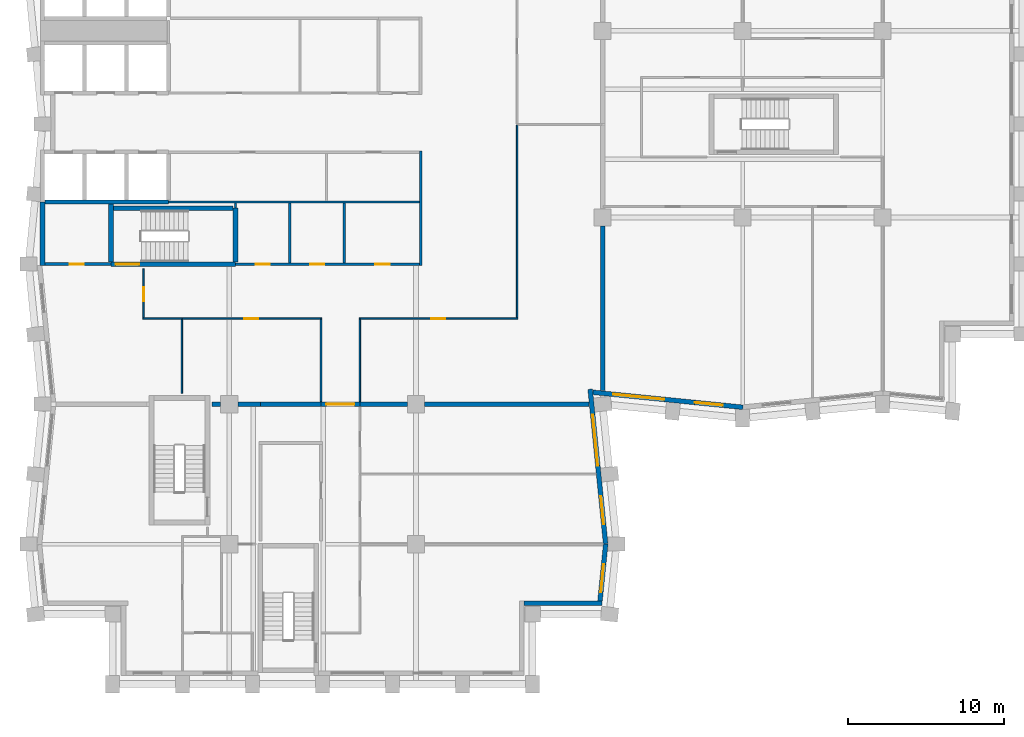
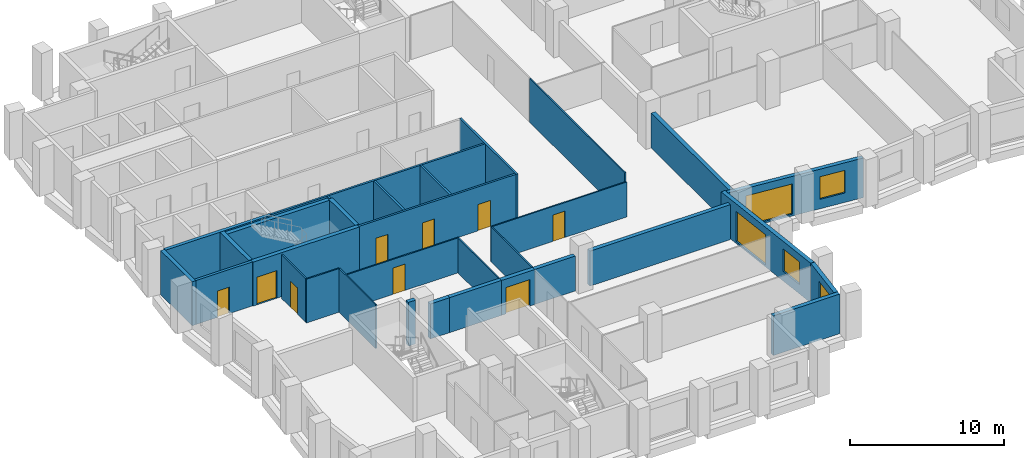
# One storey, part 4 of 10: 32 walls, 9 doors, 5 windows, 14 openings.
"""IFC4 building model written with IfcOpenShell, lengths in metres."""

from ifc_helpers import new_model, si_unit, direction, frame, frame_2d, origin, place, context, subcontext, project, spatial, rectangle, extrude, material, layer, layer_set, type_object, element, fill, save


model = new_model("IFC4")

# Units and contexts
model_context = context("Model", 3, precision=1e-05, world=origin(), true_north=direction((0.0, 1.0)))
body_context = subcontext(model_context, "Body", "Model", "MODEL_VIEW")
ifc_project = project(units=[si_unit("LENGTHUNIT", "METRE"), si_unit("AREAUNIT", "SQUARE_METRE"), si_unit("VOLUMEUNIT", "CUBIC_METRE"), si_unit("PLANEANGLEUNIT", "RADIAN"), si_unit("MASSUNIT", "GRAM", prefix="KILO")], contexts=[model_context])

# Site, building, storey
site_placement = place(None, origin())
site = spatial("IfcSite", under=ifc_project, at=site_placement, CompositionType="ELEMENT")
building_placement = place(site_placement, origin())
building = spatial("IfcBuilding", under=site, at=building_placement, Name="Brondeck Convention Tower", CompositionType="ELEMENT")
storey_placement = place(building_placement, frame((0.0, 0.0, 154.800048828125)))
storey = spatial("IfcBuildingStorey", under=building, at=storey_placement, Name="L37", CompositionType="ELEMENT", Elevation=154.800048828125)

# Walls
ifc_material_1 = material(Name="Concrete compartment wall C30/37", Category="concrete")
ifc_layer_1 = layer(ifc_material_1, 0.300048828125)
ifc_layer_set_1 = layer_set([ifc_layer_1], Name="Compartment wall 300")
wall_type_1 = type_object("IfcWallType", Name="Compartment wall 300", PredefinedType="PARTITIONING", material=ifc_layer_set_1)
wall_1_placement = place(storey_placement, frame((10.89990234375, 27.0, 0.0), z_axis=(0.0, 0.0, 1.0), x_axis=(1.0, 0.0, 0.0)))
element("IfcWall", 1, at=wall_1_placement, inside=storey, type_object=wall_type_1, Name="FLR-L37-W023", PredefinedType="PARTITIONING", context=body_context, shape_type="SweptSolid", body=[
    extrude(rectangle(XDim=0.545166015625, YDim=0.300048828125, at=frame_2d((0.2724609375, 0.0))), origin(), (0.0, 0.0, 1.0), 3.47998046875),
])
wall_2_placement = place(storey_placement, frame((12.554931640625, 27.0, 0.0), z_axis=(0.0, 0.0, 1.0), x_axis=(1.0, 0.0, 0.0)))
element("IfcWall", 2, at=wall_2_placement, inside=storey, type_object=wall_type_1, Name="FLR-L37-W024", PredefinedType="PARTITIONING", context=body_context, shape_type="SweptSolid", body=[
    extrude(rectangle(XDim=1.445068359375, YDim=0.300048828125, at=frame_2d((0.72265625, 0.0))), origin(), (0.0, 0.0, 1.0), 2.780029296875),
])
wall_3_placement = place(storey_placement, frame((14.0, 27.0, 0.0), z_axis=(0.0, 0.0, 1.0), x_axis=(1.0, 0.0, 0.0)))
element("IfcWall", 3, at=wall_3_placement, inside=storey, type_object=wall_type_1, Name="FLR-L37-W025", PredefinedType="PARTITIONING", context=body_context, shape_type="SweptSolid", body=[
    extrude(rectangle(XDim=3.89990234375, YDim=0.300048828125, at=frame_2d((1.949951171875, 0.0))), origin(), (0.0, 0.0, 1.0), 2.780029296875),
])

# Wall, opening, door
wall_4_placement = place(storey_placement, frame((20.39990234375, 27.0, 0.0), z_axis=(0.0, 0.0, 1.0), x_axis=(-1.0, 0.0, 0.0)))
wall_4 = element("IfcWall", 4, at=wall_4_placement, inside=storey, type_object=wall_type_1, Name="FLR-L37-W026", PredefinedType="PARTITIONING", context=body_context, shape_type="SweptSolid", body=[
    extrude(rectangle(XDim=2.5, YDim=0.300048828125, at=frame_2d((1.25, 0.0))), origin(), (0.0, 0.0, 1.0), 2.780029296875),
])
opening_1_placement = place(wall_4_placement, frame((0.35009765625, 0.0, 0.0)))
opening_1 = element("IfcOpeningElement", 5, at=opening_1_placement, cuts=wall_4, Name="Opening OF-G-017", PredefinedType="OPENING", context=body_context, shape_type="SweptSolid", body=[
    extrude(rectangle(XDim=1.800048828125, YDim=2.10009765625, at=frame_2d((0.89990234375, 1.050048828125))), frame((0.0, 0.159912109375, 0.0), z_axis=(0.0, -1.0, 0.0), x_axis=(1.0, 0.0, 0.0)), (0.0, 0.0, 1.0), 0.320068359375),
])
ifc_material_2 = material(Name="Steel fire door pair", Category="steel")
door_type_1 = type_object("IfcDoorType", Name="Fire door pair 1800", OperationType="DOUBLE_DOOR_SINGLE_SWING", PredefinedType="DOOR", material=ifc_material_2)
door_1_placement = place(opening_1_placement, origin())
door_1 = element("IfcDoor", 6, at=door_1_placement, inside=storey, type_object=door_type_1, Name="Door OF-G-017", OperationType="DOUBLE_DOOR_SINGLE_SWING", OverallHeight=2.10009765625, OverallWidth=1.800048828125, PredefinedType="DOOR", context=body_context, shape_type="SweptSolid", body=[
    extrude(rectangle(XDim=1.800048828125, YDim=2.10009765625, at=frame_2d((0.89990234375, 1.050048828125))), frame((0.0, 0.02490234375, 0.0), z_axis=(0.0, -1.0, 0.0), x_axis=(1.0, 0.0, 0.0)), (0.0, 0.0, 1.0), 0.050048828125),
])
fill(opening_1, door_1)

# Walls
wall_5_placement = place(storey_placement, frame((20.39990234375, 27.0, 0.0), z_axis=(0.0, 0.0, 1.0), x_axis=(1.0, 0.0, 0.0)))
element("IfcWall", 7, at=wall_5_placement, inside=storey, type_object=wall_type_1, Name="FLR-L37-W027", PredefinedType="PARTITIONING", context=body_context, shape_type="SweptSolid", body=[
    extrude(rectangle(XDim=3.045166015625, YDim=0.300048828125, at=frame_2d((1.5224609375, 0.0))), origin(), (0.0, 0.0, 1.0), 2.780029296875),
])
for number, where, z_axis, x_axis, name in (
    (8, (24.554931640625, 27.0, 0.0), (0.0, 0.0, 1.0), (1.0, 0.0, 0.0), "FLR-L37-W028"),
    (9, (36.0, 27.874267578125, 0.0), (0.0, 0.0, 1.0), (0.0, 1.0, 0.0), "FLR-L37-W031"),
):
    element("IfcWall", number, at=place(storey_placement, frame(where, z_axis=z_axis, x_axis=x_axis)), inside=storey, type_object=wall_type_1, Name=name, PredefinedType="PARTITIONING", context=body_context, shape_type="SweptSolid", body=[
        extrude(rectangle(XDim=10.57080078125, YDim=0.300048828125, at=frame_2d((5.285400390625, 0.0))), origin(), (0.0, 0.0, 1.0), 2.780029296875),
    ])

# Wall, openings, doors
ifc_material_3 = material(Name="Concrete C70/85", Category="concrete")
ifc_layer_2 = layer(ifc_material_3, 0.14990234375)
ifc_layer_set_2 = layer_set([ifc_layer_2], Name="Core beam-seat wall 150 Concrete C70/85")
wall_type_2 = type_object("IfcWallType", Name="Core beam-seat wall 150 Concrete C70/85", PredefinedType="SHEAR", material=ifc_layer_set_2)
wall_6_placement = place(storey_placement, frame((12.39990234375, 36.0, 0.0), z_axis=(0.0, 0.0, 1.0), x_axis=(1.0, 0.0, 0.0)))
wall_6 = element("IfcWall", 10, at=wall_6_placement, inside=storey, type_object=wall_type_2, Name="L37 core wall", PredefinedType="SHEAR", context=body_context, shape_type="SweptSolid", body=[
    extrude(rectangle(XDim=11.8251953125, YDim=0.14990234375, at=frame_2d((5.91259765625, 0.0))), origin(), (0.0, 0.0, 1.0), 3.5),
])
opening_2_placement = place(wall_6_placement, frame((1.300048828125, 0.0, 0.0)))
opening_2 = element("IfcOpeningElement", 11, at=opening_2_placement, cuts=wall_6, Name="Opening C22-03", PredefinedType="OPENING", context=body_context, shape_type="SweptSolid", body=[
    extrude(rectangle(XDim=0.89990234375, YDim=2.10009765625, at=frame_2d((0.449951171875, 1.050048828125))), frame((0.0, 0.0849609375, 0.0), z_axis=(0.0, -1.0, 0.0), x_axis=(1.0, 0.0, 0.0)), (0.0, 0.0, 1.0), 0.169921875),
])
opening_3_placement = place(wall_6_placement, frame((4.800048828125, 0.0, 0.0)))
opening_3 = element("IfcOpeningElement", 12, at=opening_3_placement, cuts=wall_6, Name="Opening C22-04", PredefinedType="OPENING", context=body_context, shape_type="SweptSolid", body=[
    extrude(rectangle(XDim=0.89990234375, YDim=2.10009765625, at=frame_2d((0.449951171875, 1.050048828125))), frame((0.0, 0.0849609375, 0.0), z_axis=(0.0, -1.0, 0.0), x_axis=(1.0, 0.0, 0.0)), (0.0, 0.0, 1.0), 0.169921875),
])
opening_4_placement = place(wall_6_placement, frame((8.97509765625, 0.0, 0.0)))
opening_4 = element("IfcOpeningElement", 13, at=opening_4_placement, cuts=wall_6, Name="Opening C22-05", PredefinedType="OPENING", context=body_context, shape_type="SweptSolid", body=[
    extrude(rectangle(XDim=0.949951171875, YDim=2.10009765625, at=frame_2d((0.47509765625, 1.050048828125))), frame((0.0, 0.0849609375, 0.0), z_axis=(0.0, -1.0, 0.0), x_axis=(1.0, 0.0, 0.0)), (0.0, 0.0, 1.0), 0.169921875),
])
ifc_material_4 = material(Name="Steel fire door", Category="steel")
door_type_2 = type_object("IfcDoorType", Name="Room door 900x2100 EI 60", OperationType="NOTDEFINED", PredefinedType="DOOR", material=ifc_material_4)
door_2_placement = place(opening_2_placement, origin())
door_2 = element("IfcDoor", 14, at=door_2_placement, inside=storey, type_object=door_type_2, Name="L37 Room door FR-1", OperationType="SINGLE_SWING_RIGHT", OverallHeight=2.10009765625, OverallWidth=0.89990234375, PredefinedType="DOOR", context=body_context, shape_type="SweptSolid", body=[
    extrude(rectangle(XDim=0.89990234375, YDim=2.10009765625, at=frame_2d((0.449951171875, 1.050048828125))), frame((0.0, 0.02490234375, 0.0), z_axis=(0.0, -1.0, 0.0), x_axis=(1.0, 0.0, 0.0)), (0.0, 0.0, 1.0), 0.050048828125),
])
fill(opening_2, door_2)
door_3_placement = place(opening_3_placement, origin())
door_3 = element("IfcDoor", 15, at=door_3_placement, inside=storey, type_object=door_type_2, Name="L37 Room door FR-2", OperationType="SINGLE_SWING_LEFT", OverallHeight=2.10009765625, OverallWidth=0.89990234375, PredefinedType="DOOR", context=body_context, shape_type="SweptSolid", body=[
    extrude(rectangle(XDim=0.89990234375, YDim=2.10009765625, at=frame_2d((0.449951171875, 1.050048828125))), frame((0.0, 0.02490234375, 0.0), z_axis=(0.0, -1.0, 0.0), x_axis=(1.0, 0.0, 0.0)), (0.0, 0.0, 1.0), 0.050048828125),
])
fill(opening_3, door_3)
door_type_3 = type_object("IfcDoorType", Name="Room door 950x2100 EI 60", OperationType="NOTDEFINED", PredefinedType="DOOR", material=ifc_material_4)
door_4_placement = place(opening_4_placement, origin())
door_4 = element("IfcDoor", 16, at=door_4_placement, inside=storey, type_object=door_type_3, Name="L37 Room door FR-3", OperationType="SINGLE_SWING_RIGHT", OverallHeight=2.10009765625, OverallWidth=0.949951171875, PredefinedType="DOOR", context=body_context, shape_type="SweptSolid", body=[
    extrude(rectangle(XDim=0.949951171875, YDim=2.10009765625, at=frame_2d((0.47509765625, 1.050048828125))), frame((0.0, 0.02490234375, 0.0), z_axis=(0.0, -1.0, 0.0), x_axis=(1.0, 0.0, 0.0)), (0.0, 0.0, 1.0), 0.050048828125),
])
fill(opening_4, door_4)

# Walls
ifc_layer_3 = layer(ifc_material_3, 0.300048828125)
ifc_layer_set_3 = layer_set([ifc_layer_3], Name="Core outer wall 300 Concrete C70/85")
wall_type_3 = type_object("IfcWallType", Name="Core outer wall 300 Concrete C70/85", PredefinedType="SHEAR", material=ifc_layer_set_3)
wall_7_placement = place(storey_placement, frame((0.0, 35.89990234375, 0.0), z_axis=(0.0, 0.0, 1.0), x_axis=(0.0, 1.0, 0.0)))
element("IfcWall", 17, at=wall_7_placement, inside=storey, type_object=wall_type_3, Name="L37 core wall", PredefinedType="SHEAR", context=body_context, shape_type="SweptSolid", body=[
    extrude(rectangle(XDim=4.10009765625, YDim=0.300048828125, at=frame_2d((2.050048828125, 0.0))), origin(), (0.0, 0.0, 1.0), 3.5),
])
ifc_material_5 = material(Name="Fire-rated gypsum board partition")
ifc_layer_4 = layer(ifc_material_5, 0.14990234375)
ifc_layer_set_4 = layer_set([ifc_layer_4], Name="Core partition 150 EI 60")
wall_type_4 = type_object("IfcWallType", Name="Core partition 150 EI 60", PredefinedType="PARTITIONING", material=ifc_layer_set_4)
wall_8_placement = place(storey_placement, frame((8.10009765625, 40.0, 0.0), z_axis=(0.0, 0.0, 1.0), x_axis=(1.0, 0.0, 0.0)))
element("IfcWall", 18, at=wall_8_placement, inside=storey, type_object=wall_type_4, Name="L37 core wall", PredefinedType="PARTITIONING", context=body_context, shape_type="SweptSolid", body=[
    extrude(rectangle(XDim=16.125, YDim=0.14990234375, at=frame_2d((8.0625, 0.0))), origin(), (0.0, 0.0, 1.0), 3.5),
])
wall_9_placement = place(storey_placement, frame((12.39990234375, 39.60009765625, 0.0), z_axis=(0.0, 0.0, 1.0), x_axis=(0.0, 1.0, 0.0)))
element("IfcWall", 19, at=wall_9_placement, inside=storey, type_object=wall_type_4, Name="L37 core wall", PredefinedType="PARTITIONING", context=body_context, shape_type="SweptSolid", body=[
    extrude(rectangle(XDim=0.324951171875, YDim=0.14990234375, at=frame_2d((0.16259765625, 0.0))), origin(), (0.0, 0.0, 1.0), 3.5),
])
for number, where, z_axis, x_axis, name in (
    (20, (15.89990234375, 36.074951171875, 0.0), (0.0, 0.0, 1.0), (0.0, 1.0, 0.0), "L37 core wall"),
    (21, (19.39990234375, 36.074951171875, 0.0), (0.0, 0.0, 1.0), (0.0, 1.0, 0.0), "L37 core wall"),
):
    element("IfcWall", number, at=place(storey_placement, frame(where, z_axis=z_axis, x_axis=x_axis)), inside=storey, type_object=wall_type_4, Name=name, PredefinedType="PARTITIONING", context=body_context, shape_type="SweptSolid", body=[
        extrude(rectangle(XDim=3.85009765625, YDim=0.14990234375, at=frame_2d((1.925048828125, 0.0))), origin(), (0.0, 0.0, 1.0), 3.5),
    ])
wall_10_placement = place(storey_placement, frame((24.300048828125, 35.925048828125, 0.0), z_axis=(0.0, 0.0, 1.0), x_axis=(0.0, 1.0, 0.0)))
element("IfcWall", 22, at=wall_10_placement, inside=storey, type_object=wall_type_4, Name="L37 core wall", PredefinedType="PARTITIONING", context=body_context, shape_type="SweptSolid", body=[
    extrude(rectangle(XDim=7.349853515625, YDim=0.14990234375, at=frame_2d((3.6748046875, 0.0))), origin(), (0.0, 0.0, 1.0), 3.5),
])
ifc_material_6 = material(Name="Precast concrete C50/60 bronze finish", Category="concrete")
ifc_layer_5 = layer(ifc_material_6, 0.070068359375, Name="Bronze precast facing")
ifc_material_7 = material(Name="Mineral wool")
ifc_layer_6 = layer(ifc_material_7, 0.159912109375, Name="Insulation")
ifc_material_8 = material(Name="Concrete C35/45", Category="concrete")
ifc_layer_7 = layer(ifc_material_8, 0.070068359375, Name="Backing")
ifc_layer_set_5 = layer_set([ifc_layer_5, ifc_layer_6, ifc_layer_7], Name="External infill wall, precast concrete C50/60 bronze facing")
wall_type_5 = type_object("IfcWallType", Name="External infill wall, precast concrete C50/60 bronze facing", PredefinedType="SOLIDWALL", material=ifc_layer_set_5)
wall_11_placement = place(storey_placement, frame((35.952392578125, 14.199951171875, 0.0), z_axis=(0.0, 0.0, 1.0), x_axis=(-1.0, 0.0, 0.0)))
element("IfcWall", 23, at=wall_11_placement, inside=storey, type_object=wall_type_5, Name="ENV-EW-L37-P1-NC-SEB9-02", PredefinedType="SOLIDWALL", context=body_context, shape_type="SweptSolid", body=[
    extrude(rectangle(XDim=5.00244140625, YDim=0.300048828125, at=frame_2d((2.501220703125, 0.0))), origin(), (0.0, 0.0, 1.0), 3.14990234375),
])

# Wall, opening, window
wall_12_placement = place(storey_placement, frame((36.197998046875, 18.014892578125, 0.0), z_axis=(0.0, 0.0, 1.0), x_axis=(-0.099529980022, -0.99503456376, 0.0)))
wall_12 = element("IfcWall", 24, at=wall_12_placement, inside=storey, type_object=wall_type_5, Name="ENV-EW-L37-P1-B-E-02", PredefinedType="SOLIDWALL", context=body_context, shape_type="SweptSolid", body=[
    extrude(rectangle(XDim=3.681884765625, YDim=0.300048828125, at=frame_2d((1.8408203125, 0.0))), origin(), (0.0, 0.0, 1.0), 3.14990234375),
])
opening_5_placement = place(wall_12_placement, frame((1.30615234375, 0.0, 0.75)))
opening_5 = element("IfcOpeningElement", 25, at=opening_5_placement, cuts=wall_12, Name="Opening W10", PredefinedType="OPENING", context=body_context, shape_type="SweptSolid", body=[
    extrude(rectangle(XDim=1.800048828125, YDim=1.800048828125, at=frame_2d((0.89990234375, 0.89990234375))), frame((0.0, 0.159912109375, 0.0), z_axis=(0.0, -1.0, 0.0), x_axis=(1.0, 0.0, 0.0)), (0.0, 0.0, 1.0), 0.320068359375),
])
ifc_material_9 = material(Name="Bronze tinted double glazing", Category="glass")
window_type_1 = type_object("IfcWindowType", Name="Punched window, bronze tinted", PartitioningType="SINGLE_PANEL", PredefinedType="WINDOW", material=ifc_material_9)
window_1_placement = place(opening_5_placement, origin())
window_1 = element("IfcWindow", 26, at=window_1_placement, inside=storey, type_object=window_type_1, Name="ENV-WN-L37-P1-B-E-02", OverallHeight=1.800048828125, OverallWidth=1.800048828125, PartitioningType="SINGLE_PANEL", PredefinedType="WINDOW", context=body_context, shape_type="SweptSolid", body=[
    extrude(rectangle(XDim=1.800048828125, YDim=1.800048828125, at=frame_2d((0.89990234375, 0.89990234375))), frame((0.0, 0.030029296875, 0.0), z_axis=(0.0, -1.0, 0.0), x_axis=(1.0, 0.0, 0.0)), (0.0, 0.0, 1.0), 0.06005859375),
])
fill(opening_5, window_1)

# Wall, openings, windows
wall_13_placement = place(storey_placement, frame((35.2001953125, 27.964111328125, 0.0), z_axis=(0.0, 0.0, 1.0), x_axis=(0.099501297882, -0.995037432321, 0.0)))
wall_13 = element("IfcWall", 27, at=wall_13_placement, inside=storey, type_object=wall_type_5, Name="ENV-EW-L37-P1-B-E-01", PredefinedType="SOLIDWALL", context=body_context, shape_type="SweptSolid", body=[
    extrude(rectangle(XDim=9.98388671875, YDim=0.300048828125, at=frame_2d((4.991943359375, 0.0))), origin(), (0.0, 0.0, 1.0), 3.14990234375),
])
opening_6_placement = place(wall_13_placement, frame((1.650146484375, 0.0, 0.14990234375)))
opening_6 = element("IfcOpeningElement", 28, at=opening_6_placement, cuts=wall_13, Name="Opening W9", PredefinedType="OPENING", context=body_context, shape_type="SweptSolid", body=[
    extrude(rectangle(XDim=3.300048828125, YDim=2.39990234375, at=frame_2d((1.64990234375, 1.199951171875))), frame((0.0, 0.159912109375, 0.0), z_axis=(0.0, -1.0, 0.0), x_axis=(1.0, 0.0, 0.0)), (0.0, 0.0, 1.0), 0.320068359375),
])
opening_7_placement = place(wall_13_placement, frame((6.922607421875, 0.0, 0.75)))
opening_7 = element("IfcOpeningElement", 29, at=opening_7_placement, cuts=wall_13, Name="Opening W10", PredefinedType="OPENING", context=body_context, shape_type="SweptSolid", body=[
    extrude(rectangle(XDim=1.800048828125, YDim=1.800048828125, at=frame_2d((0.89990234375, 0.89990234375))), frame((0.0, 0.159912109375, 0.0), z_axis=(0.0, -1.0, 0.0), x_axis=(1.0, 0.0, 0.0)), (0.0, 0.0, 1.0), 0.320068359375),
])
window_type_2 = type_object("IfcWindowType", Name="Glazed flute window, bronze tinted", PartitioningType="SINGLE_PANEL", PredefinedType="WINDOW", material=ifc_material_9)
window_2_placement = place(opening_6_placement, origin())
window_2 = element("IfcWindow", 30, at=window_2_placement, inside=storey, type_object=window_type_2, Name="ENV-WN-L37-P1-B-E-00", OverallHeight=2.39990234375, OverallWidth=3.300048828125, PartitioningType="SINGLE_PANEL", PredefinedType="WINDOW", context=body_context, shape_type="SweptSolid", body=[
    extrude(rectangle(XDim=3.300048828125, YDim=2.39990234375, at=frame_2d((1.64990234375, 1.199951171875))), frame((0.0, 0.030029296875, 0.0), z_axis=(0.0, -1.0, 0.0), x_axis=(1.0, 0.0, 0.0)), (0.0, 0.0, 1.0), 0.06005859375),
])
fill(opening_6, window_2)
window_3_placement = place(opening_7_placement, origin())
window_3 = element("IfcWindow", 31, at=window_3_placement, inside=storey, type_object=window_type_1, Name="ENV-WN-L37-P1-B-E-01", OverallHeight=1.800048828125, OverallWidth=1.800048828125, PartitioningType="SINGLE_PANEL", PredefinedType="WINDOW", context=body_context, shape_type="SweptSolid", body=[
    extrude(rectangle(XDim=1.800048828125, YDim=1.800048828125, at=frame_2d((0.89990234375, 0.89990234375))), frame((0.0, 0.030029296875, 0.0), z_axis=(0.0, -1.0, 0.0), x_axis=(1.0, 0.0, 0.0)), (0.0, 0.0, 1.0), 0.06005859375),
])
fill(opening_7, window_3)

wall_14_placement = place(storey_placement, frame((45.014892578125, 26.802001953125, 0.0), z_axis=(0.0, 0.0, 1.0), x_axis=(-0.995037689759, 0.099498723402, 0.0)))
wall_14 = element("IfcWall", 32, at=wall_14_placement, inside=storey, type_object=wall_type_5, Name="ENV-EW-L37-P1-A-S-00", PredefinedType="SOLIDWALL", context=body_context, shape_type="SweptSolid", body=[
    extrude(rectangle(XDim=9.677490234375, YDim=0.300048828125, at=frame_2d((4.8388671875, 0.0))), origin(), (0.0, 0.0, 1.0), 3.14990234375),
])
opening_8_placement = place(wall_14_placement, frame((1.30615234375, 0.0, 0.75)))
opening_8 = element("IfcOpeningElement", 33, at=opening_8_placement, cuts=wall_14, Name="Opening W10", PredefinedType="OPENING", context=body_context, shape_type="SweptSolid", body=[
    extrude(rectangle(XDim=1.800048828125, YDim=1.800048828125, at=frame_2d((0.89990234375, 0.89990234375))), frame((0.0, 0.159912109375, 0.0), z_axis=(0.0, -1.0, 0.0), x_axis=(1.0, 0.0, 0.0)), (0.0, 0.0, 1.0), 0.320068359375),
])
opening_9_placement = place(wall_14_placement, frame((5.07861328125, 0.0, 0.14990234375)))
opening_9 = element("IfcOpeningElement", 34, at=opening_9_placement, cuts=wall_14, Name="Opening W9", PredefinedType="OPENING", context=body_context, shape_type="SweptSolid", body=[
    extrude(rectangle(XDim=3.300048828125, YDim=2.39990234375, at=frame_2d((1.64990234375, 1.199951171875))), frame((0.0, 0.159912109375, 0.0), z_axis=(0.0, -1.0, 0.0), x_axis=(1.0, 0.0, 0.0)), (0.0, 0.0, 1.0), 0.320068359375),
])
window_4_placement = place(opening_9_placement, origin())
window_4 = element("IfcWindow", 35, at=window_4_placement, inside=storey, type_object=window_type_2, Name="ENV-WN-L37-P1-A-S-00", OverallHeight=2.39990234375, OverallWidth=3.300048828125, PartitioningType="SINGLE_PANEL", PredefinedType="WINDOW", context=body_context, shape_type="SweptSolid", body=[
    extrude(rectangle(XDim=3.300048828125, YDim=2.39990234375, at=frame_2d((1.64990234375, 1.199951171875))), frame((0.0, 0.030029296875, 0.0), z_axis=(0.0, -1.0, 0.0), x_axis=(1.0, 0.0, 0.0)), (0.0, 0.0, 1.0), 0.06005859375),
])
fill(opening_9, window_4)
window_5_placement = place(opening_8_placement, origin())
window_5 = element("IfcWindow", 36, at=window_5_placement, inside=storey, type_object=window_type_1, Name="ENV-WN-L37-P1-A-S-01", OverallHeight=1.800048828125, OverallWidth=1.800048828125, PartitioningType="SINGLE_PANEL", PredefinedType="WINDOW", context=body_context, shape_type="SweptSolid", body=[
    extrude(rectangle(XDim=1.800048828125, YDim=1.800048828125, at=frame_2d((0.89990234375, 0.89990234375))), frame((0.0, 0.030029296875, 0.0), z_axis=(0.0, -1.0, 0.0), x_axis=(1.0, 0.0, 0.0)), (0.0, 0.0, 1.0), 0.06005859375),
])
fill(opening_8, window_5)

# Wall
ifc_layer_8 = layer(ifc_material_3, 0.25)
ifc_layer_set_6 = layer_set([ifc_layer_8], Name="Lift shaft wall 250 Concrete C70/85")
wall_type_6 = type_object("IfcWallType", Name="Lift shaft wall 250 Concrete C70/85", PredefinedType="SHEAR", material=ifc_layer_set_6)
wall_15_placement = place(storey_placement, frame((0.14990234375, 40.0, 0.0), z_axis=(0.0, 0.0, 1.0), x_axis=(1.0, 0.0, 0.0)))
element("IfcWall", 37, at=wall_15_placement, inside=storey, type_object=wall_type_6, Name="L37 core wall", PredefinedType="SHEAR", context=body_context, shape_type="SweptSolid", body=[
    extrude(rectangle(XDim=7.9501953125, YDim=0.25, at=frame_2d((3.97509765625, 0.0))), origin(), (0.0, 0.0, 1.0), 3.5),
])

# Wall, opening, door
ifc_layer_9 = layer(ifc_material_5, 0.199951171875)
ifc_layer_set_7 = layer_set([ifc_layer_9], Name="Riser wall 200 EI 120")
wall_type_7 = type_object("IfcWallType", Name="Riser wall 200 EI 120", PredefinedType="PARTITIONING", material=ifc_layer_set_7)
wall_16_placement = place(storey_placement, frame((0.14990234375, 36.0, 0.0), z_axis=(0.0, 0.0, 1.0), x_axis=(1.0, 0.0, 0.0)))
wall_16 = element("IfcWall", 38, at=wall_16_placement, inside=storey, type_object=wall_type_7, Name="L37 core wall", PredefinedType="PARTITIONING", context=body_context, shape_type="SweptSolid", body=[
    extrude(rectangle(XDim=4.25, YDim=0.199951171875, at=frame_2d((2.125, 0.0))), origin(), (0.0, 0.0, 1.0), 3.5),
])
opening_10_placement = place(wall_16_placement, frame((1.60009765625, 0.0, 0.0)))
opening_10 = element("IfcOpeningElement", 39, at=opening_10_placement, cuts=wall_16, Name="Opening C22-06", PredefinedType="OPENING", context=body_context, shape_type="SweptSolid", body=[
    extrude(rectangle(XDim=0.89990234375, YDim=2.10009765625, at=frame_2d((0.449951171875, 1.050048828125))), frame((0.0, 0.10986328125, 0.0), z_axis=(0.0, -1.0, 0.0), x_axis=(1.0, 0.0, 0.0)), (0.0, 0.0, 1.0), 0.219970703125),
])
door_type_4 = type_object("IfcDoorType", Name="Riser door 900x2100 EI 120", OperationType="NOTDEFINED", PredefinedType="DOOR", material=ifc_material_4)
door_5_placement = place(opening_10_placement, origin())
door_5 = element("IfcDoor", 40, at=door_5_placement, inside=storey, type_object=door_type_4, Name="L37 Riser door FRW-1", OperationType="SINGLE_SWING_LEFT", OverallHeight=2.10009765625, OverallWidth=0.89990234375, PredefinedType="DOOR", context=body_context, shape_type="SweptSolid", body=[
    extrude(rectangle(XDim=0.89990234375, YDim=2.10009765625, at=frame_2d((0.449951171875, 1.050048828125))), frame((0.0, 0.02490234375, 0.0), z_axis=(0.0, -1.0, 0.0), x_axis=(1.0, 0.0, 0.0)), (0.0, 0.0, 1.0), 0.050048828125),
])
fill(opening_10, door_5)

# Walls
ifc_material_10 = material(Name="Gypsum board partition on steel studs", Category="steel")
ifc_layer_10 = layer(ifc_material_10, 0.10009765625)
ifc_layer_set_8 = layer_set([ifc_layer_10], Name="Room partition 100")
wall_type_8 = type_object("IfcWallType", Name="Room partition 100", PredefinedType="PARTITIONING", material=ifc_layer_set_8)
wall_17_placement = place(storey_placement, frame((17.89990234375, 27.169921875, 0.0), z_axis=(0.0, 0.0, 1.0), x_axis=(0.0, 1.0, 0.0)))
element("IfcWall", 41, at=wall_17_placement, inside=storey, type_object=wall_type_8, Name="FLR-L37-W029", PredefinedType="PARTITIONING", context=body_context, shape_type="SweptSolid", body=[
    extrude(rectangle(XDim=5.280029296875, YDim=0.10009765625, at=frame_2d((2.64013671875, 0.0))), origin(), (0.0, 0.0, 1.0), 2.780029296875),
])
wall_18_placement = place(storey_placement, frame((8.9599609375, 32.449951171875, 0.0), z_axis=(0.0, 0.0, 1.0), x_axis=(0.0, -1.0, 0.0)))
element("IfcWall", 42, at=wall_18_placement, inside=storey, type_object=wall_type_8, Name="FLR-L37-W032", PredefinedType="PARTITIONING", context=body_context, shape_type="SweptSolid", body=[
    extrude(rectangle(XDim=4.75, YDim=0.10009765625, at=frame_2d((2.375, 0.0))), origin(), (0.0, 0.0, 1.0), 3.47998046875),
])
wall_19_placement = place(storey_placement, frame((20.39990234375, 32.449951171875, 0.0), z_axis=(0.0, 0.0, 1.0), x_axis=(0.0, -1.0, 0.0)))
element("IfcWall", 43, at=wall_19_placement, inside=storey, type_object=wall_type_8, Name="FLR-L37-W033", PredefinedType="PARTITIONING", context=body_context, shape_type="SweptSolid", body=[
    extrude(rectangle(XDim=5.280029296875, YDim=0.10009765625, at=frame_2d((2.64013671875, 0.0))), origin(), (0.0, 0.0, 1.0), 2.780029296875),
])
wall_20_placement = place(storey_placement, frame((8.9599609375, 32.5, 0.0), z_axis=(0.0, 0.0, 1.0), x_axis=(-1.0, 0.0, 0.0)))
element("IfcWall", 44, at=wall_20_placement, inside=storey, type_object=wall_type_8, Name="FLR-L37-W034", PredefinedType="PARTITIONING", context=body_context, shape_type="SweptSolid", body=[
    extrude(rectangle(XDim=2.510009765625, YDim=0.10009765625, at=frame_2d((1.2548828125, 0.0))), origin(), (0.0, 0.0, 1.0), 3.47998046875),
])

# Wall, opening, door
wall_21_placement = place(storey_placement, frame((17.949951171875, 32.5, 0.0), z_axis=(0.0, 0.0, 1.0), x_axis=(-1.0, 0.0, 0.0)))
wall_21 = element("IfcWall", 45, at=wall_21_placement, inside=storey, type_object=wall_type_8, Name="FLR-L37-W035", PredefinedType="PARTITIONING", context=body_context, shape_type="SweptSolid", body=[
    extrude(rectangle(XDim=8.989990234375, YDim=0.10009765625, at=frame_2d((4.4951171875, 0.0))), origin(), (0.0, 0.0, 1.0), 2.780029296875),
])
opening_11_placement = place(wall_21_placement, frame((4.070068359375, 0.0, 0.0)))
opening_11 = element("IfcOpeningElement", 46, at=opening_11_placement, cuts=wall_21, Name="Opening OF-G-014", PredefinedType="OPENING", context=body_context, shape_type="SweptSolid", body=[
    extrude(rectangle(XDim=0.89990234375, YDim=2.10009765625, at=frame_2d((0.449951171875, 1.050048828125))), frame((0.0, 0.06005859375, 0.0), z_axis=(0.0, -1.0, 0.0), x_axis=(1.0, 0.0, 0.0)), (0.0, 0.0, 1.0), 0.1201171875),
])
ifc_material_11 = material(Name="Solid timber door leaf", Category="wood")
door_type_5 = type_object("IfcDoorType", Name="Single door 900", OperationType="NOTDEFINED", PredefinedType="DOOR", material=ifc_material_11)
door_6_placement = place(opening_11_placement, origin())
door_6 = element("IfcDoor", 47, at=door_6_placement, inside=storey, type_object=door_type_5, Name="Door OF-G-014", OperationType="SINGLE_SWING_LEFT", OverallHeight=2.10009765625, OverallWidth=0.89990234375, PredefinedType="DOOR", context=body_context, shape_type="SweptSolid", body=[
    extrude(rectangle(XDim=0.89990234375, YDim=2.10009765625, at=frame_2d((0.449951171875, 1.050048828125))), frame((0.0, 0.02490234375, 0.0), z_axis=(0.0, -1.0, 0.0), x_axis=(1.0, 0.0, 0.0)), (0.0, 0.0, 1.0), 0.050048828125),
])
fill(opening_11, door_6)

wall_22_placement = place(storey_placement, frame((30.550048828125, 32.5, 0.0), z_axis=(0.0, 0.0, 1.0), x_axis=(-1.0, 0.0, 0.0)))
wall_22 = element("IfcWall", 48, at=wall_22_placement, inside=storey, type_object=wall_type_8, Name="FLR-L37-W036", PredefinedType="PARTITIONING", context=body_context, shape_type="SweptSolid", body=[
    extrude(rectangle(XDim=10.199951171875, YDim=0.10009765625, at=frame_2d((5.10009765625, 0.0))), origin(), (0.0, 0.0, 1.0), 2.780029296875),
])
opening_12_placement = place(wall_22_placement, frame((4.64990234375, 0.0, 0.0)))
opening_12 = element("IfcOpeningElement", 49, at=opening_12_placement, cuts=wall_22, Name="Opening OF-G-015", PredefinedType="OPENING", context=body_context, shape_type="SweptSolid", body=[
    extrude(rectangle(XDim=0.89990234375, YDim=2.10009765625, at=frame_2d((0.449951171875, 1.050048828125))), frame((0.0, 0.06005859375, 0.0), z_axis=(0.0, -1.0, 0.0), x_axis=(1.0, 0.0, 0.0)), (0.0, 0.0, 1.0), 0.1201171875),
])
door_7_placement = place(opening_12_placement, origin())
door_7 = element("IfcDoor", 50, at=door_7_placement, inside=storey, type_object=door_type_5, Name="Door OF-G-015", OperationType="SINGLE_SWING_LEFT", OverallHeight=2.10009765625, OverallWidth=0.89990234375, PredefinedType="DOOR", context=body_context, shape_type="SweptSolid", body=[
    extrude(rectangle(XDim=0.89990234375, YDim=2.10009765625, at=frame_2d((0.449951171875, 1.050048828125))), frame((0.0, 0.02490234375, 0.0), z_axis=(0.0, -1.0, 0.0), x_axis=(1.0, 0.0, 0.0)), (0.0, 0.0, 1.0), 0.050048828125),
])
fill(opening_12, door_7)

wall_23_placement = place(storey_placement, frame((6.5, 32.550048828125, 0.0), z_axis=(0.0, 0.0, 1.0), x_axis=(0.0, 1.0, 0.0)))
wall_23 = element("IfcWall", 51, at=wall_23_placement, inside=storey, type_object=wall_type_8, Name="FLR-L37-W037", PredefinedType="PARTITIONING", context=body_context, shape_type="SweptSolid", body=[
    extrude(rectangle(XDim=3.14990234375, YDim=0.10009765625, at=frame_2d((1.574951171875, 0.0))), origin(), (0.0, 0.0, 1.0), 3.47998046875),
])
opening_13_placement = place(wall_23_placement, frame((1.074951171875, 0.0, 0.0)))
opening_13 = element("IfcOpeningElement", 52, at=opening_13_placement, cuts=wall_23, Name="Opening OF-G-013", PredefinedType="OPENING", context=body_context, shape_type="SweptSolid", body=[
    extrude(rectangle(XDim=0.89990234375, YDim=2.10009765625, at=frame_2d((0.449951171875, 1.050048828125))), frame((0.0, 0.06005859375, 0.0), z_axis=(0.0, -1.0, 0.0), x_axis=(1.0, 0.0, 0.0)), (0.0, 0.0, 1.0), 0.1201171875),
])
door_8_placement = place(opening_13_placement, origin())
door_8 = element("IfcDoor", 53, at=door_8_placement, inside=storey, type_object=door_type_5, Name="Door OF-G-013", OperationType="SINGLE_SWING_RIGHT", OverallHeight=2.10009765625, OverallWidth=0.89990234375, PredefinedType="DOOR", context=body_context, shape_type="SweptSolid", body=[
    extrude(rectangle(XDim=0.89990234375, YDim=2.10009765625, at=frame_2d((0.449951171875, 1.050048828125))), frame((0.0, 0.02490234375, 0.0), z_axis=(0.0, -1.0, 0.0), x_axis=(1.0, 0.0, 0.0)), (0.0, 0.0, 1.0), 0.050048828125),
])
fill(opening_13, door_8)

# Wall
wall_24_placement = place(storey_placement, frame((30.5, 44.93994140625, 0.0), z_axis=(0.0, 0.0, 1.0), x_axis=(0.0, -1.0, 0.0)))
element("IfcWall", 54, at=wall_24_placement, inside=storey, type_object=wall_type_8, Name="FLR-L37-W045", PredefinedType="PARTITIONING", context=body_context, shape_type="SweptSolid", body=[
    extrude(rectangle(XDim=12.389892578125, YDim=0.10009765625, at=frame_2d((6.19482421875, 0.0))), origin(), (0.0, 0.0, 1.0), 3.47998046875),
])

# Wall, opening, door
ifc_layer_11 = layer(ifc_material_3, 0.300048828125)
ifc_layer_set_9 = layer_set([ifc_layer_11], Name="Stair enclosure wall 300 Concrete C70/85")
wall_type_9 = type_object("IfcWallType", Name="Stair enclosure wall 300 Concrete C70/85", PredefinedType="SHEAR", material=ifc_layer_set_9)
wall_25_placement = place(storey_placement, frame((4.39990234375, 36.0, 0.0), z_axis=(0.0, 0.0, 1.0), x_axis=(1.0, 0.0, 0.0)))
wall_25 = element("IfcWall", 55, at=wall_25_placement, inside=storey, type_object=wall_type_9, Name="L37 core wall", PredefinedType="SHEAR", context=body_context, shape_type="SweptSolid", body=[
    extrude(rectangle(XDim=8.0, YDim=0.300048828125, at=frame_2d((4.0, 0.0))), origin(), (0.0, 0.0, 1.0), 3.5),
])
opening_14_placement = place(wall_25_placement, frame((0.300048828125, 0.0, 0.0)))
opening_14 = element("IfcOpeningElement", 56, at=opening_14_placement, cuts=wall_25, Name="Opening C22-12", PredefinedType="OPENING", context=body_context, shape_type="SweptSolid", body=[
    extrude(rectangle(XDim=1.5, YDim=2.199951171875, at=frame_2d((0.75, 1.10009765625))), frame((0.0, 0.159912109375, 0.0), z_axis=(0.0, -1.0, 0.0), x_axis=(1.0, 0.0, 0.0)), (0.0, 0.0, 1.0), 0.320068359375),
])
door_type_6 = type_object("IfcDoorType", Name="Stair door 1500x2200 EI 90", OperationType="NOTDEFINED", PredefinedType="DOOR", material=ifc_material_4)
door_9_placement = place(opening_14_placement, origin())
door_9 = element("IfcDoor", 57, at=door_9_placement, inside=storey, type_object=door_type_6, Name="L37 Stair door ST-1", OperationType="SINGLE_SWING_RIGHT", OverallHeight=2.199951171875, OverallWidth=1.5, PredefinedType="DOOR", context=body_context, shape_type="SweptSolid", body=[
    extrude(rectangle(XDim=1.5, YDim=2.199951171875, at=frame_2d((0.75, 1.10009765625))), frame((0.0, 0.02490234375, 0.0), z_axis=(0.0, -1.0, 0.0), x_axis=(1.0, 0.0, 0.0)), (0.0, 0.0, 1.0), 0.050048828125),
])
fill(opening_14, door_9)

# Walls
wall_26_placement = place(storey_placement, frame((4.550048828125, 39.60009765625, 0.0), z_axis=(0.0, 0.0, 1.0), x_axis=(1.0, 0.0, 0.0)))
element("IfcWall", 58, at=wall_26_placement, inside=storey, type_object=wall_type_9, Name="L37 core wall", PredefinedType="SHEAR", context=body_context, shape_type="SweptSolid", body=[
    extrude(rectangle(XDim=7.699951171875, YDim=0.300048828125, at=frame_2d((3.85009765625, 0.0))), origin(), (0.0, 0.0, 1.0), 3.5),
])
wall_27_placement = place(storey_placement, frame((4.39990234375, 36.14990234375, 0.0), z_axis=(0.0, 0.0, 1.0), x_axis=(0.0, 1.0, 0.0)))
element("IfcWall", 59, at=wall_27_placement, inside=storey, type_object=wall_type_9, Name="L37 core wall", PredefinedType="SHEAR", context=body_context, shape_type="SweptSolid", body=[
    extrude(rectangle(XDim=3.72509765625, YDim=0.300048828125, at=frame_2d((1.862548828125, 0.0))), origin(), (0.0, 0.0, 1.0), 3.5),
])
wall_28_placement = place(storey_placement, frame((12.39990234375, 36.14990234375, 0.0), z_axis=(0.0, 0.0, 1.0), x_axis=(0.0, 1.0, 0.0)))
element("IfcWall", 60, at=wall_28_placement, inside=storey, type_object=wall_type_9, Name="L37 core wall", PredefinedType="SHEAR", context=body_context, shape_type="SweptSolid", body=[
    extrude(rectangle(XDim=3.4501953125, YDim=0.300048828125, at=frame_2d((1.72509765625, 0.0))), origin(), (0.0, 0.0, 1.0), 3.5),
])

save(model, "model.ifc")
